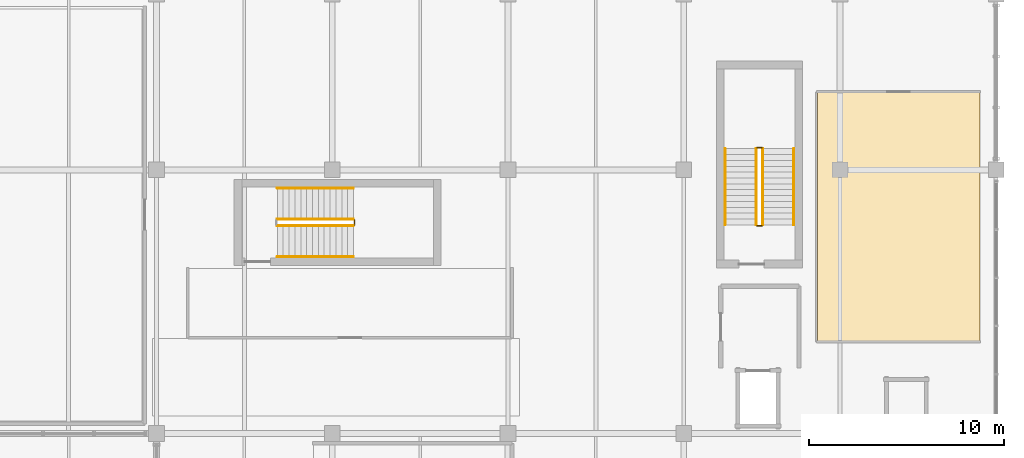
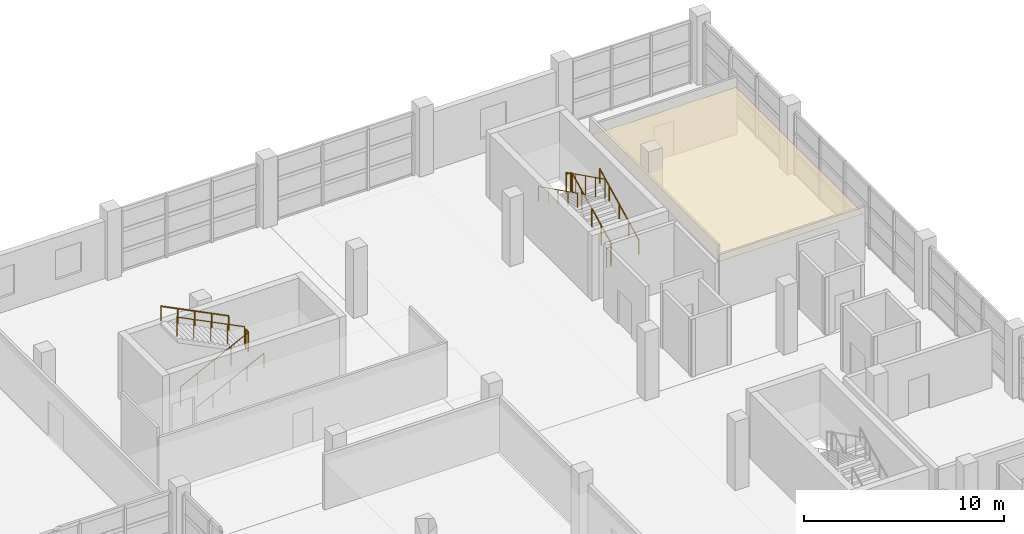
# One storey, part 135 of 136: 11 railings, 1 covering.
"""IFC4 building model written with IfcOpenShell, lengths in metres."""

from ifc_helpers import new_model, si_unit, direction, frame, origin, origin_2d, place, context, subcontext, project, spatial, polyline, circle, outline, extrude, material, layer, layer_set, type_object, element, save


model = new_model("IFC4")

# Units and contexts
model_context = context("Model", 3, precision=1e-05, world=origin(), true_north=direction((0.0, 1.0)))
body_context = subcontext(model_context, "Body", "Model", "MODEL_VIEW")
ifc_project = project(units=[si_unit("LENGTHUNIT", "METRE"), si_unit("AREAUNIT", "SQUARE_METRE"), si_unit("VOLUMEUNIT", "CUBIC_METRE"), si_unit("PLANEANGLEUNIT", "RADIAN"), si_unit("MASSUNIT", "GRAM", prefix="KILO")], contexts=[model_context])

# Site, building, storey
site_placement = place(None, origin())
site = spatial("IfcSite", under=ifc_project, at=site_placement, CompositionType="ELEMENT")
building_placement = place(site_placement, origin())
building = spatial("IfcBuilding", under=site, at=building_placement, Name="Chuanluo Vaults Station", CompositionType="ELEMENT")
storey_placement = place(building_placement, frame((0.0, 0.0, 6.60009765625)))
storey = spatial("IfcBuildingStorey", under=building, at=storey_placement, Name="L01", CompositionType="ELEMENT", Elevation=6.60009765625)

# Covering
ifc_material_1 = material(Name="Acoustic mineral-fibre tile")
ifc_layer = layer(ifc_material_1, 0.02490234375)
ifc_layer_set = layer_set([ifc_layer], Name="Acoustic mineral-fibre tile")
covering_type = type_object("IfcCoveringType", Name="COV-CEIL-TILE", PredefinedType="CEILING", material=ifc_layer_set)
covering_placement = place(storey_placement, frame((0.0, 0.0, 2.849853515625)))
element("IfcCovering", 1, at=covering_placement, inside=storey, type_object=covering_type, Name="L01-23 suspended acoustic ceiling", PredefinedType="CEILING", context=body_context, shape_type="SweptSolid", body=[
    extrude(outline(polyline([(178.840087890625, 108.239990234375), (187.159912109375, 108.239990234375), (187.159912109375, 120.9599609375), (178.840087890625, 120.9599609375), (178.840087890625, 108.239990234375)])), origin(), (0.0, 0.0, 1.0), 0.025146484375),
])

# Railings
ifc_material_2 = material(Name="Tempered laminated balustrade glass", Category="glass")
railing_type_1 = type_object("IfcRailingType", Name="RLG-GUARD-1200", PredefinedType="BALUSTRADE", material=ifc_material_2)
railing_1_placement = place(storey_placement, frame((176.052490234375, 114.1875, 0.14990234375)))
element("IfcRailing", 2, at=railing_1_placement, inside=storey, type_object=railing_type_1, Name="L01 ST-02 stair guard 1", PredefinedType="BALUSTRADE", context=body_context, shape_type="SweptSolid", body=[
    extrude(circle(Radius=0.02392578125, at=origin_2d()), frame((0.0, 0.0, 1.17578125), z_axis=(0.0, 0.894427191, 0.4472135955), x_axis=(-1.0, 0.0, 0.0)), (0.0, 0.0, 1.0), 4.360107421875),
    extrude(circle(Radius=0.02099609375, at=origin_2d()), origin(), (0.0, 0.0, 1.0), 1.15185546875),
    extrude(circle(Radius=0.02099609375, at=origin_2d()), frame((0.0, 0.97509765625, 0.487548828125)), (0.0, 0.0, 1.0), 1.15185546875),
    extrude(circle(Radius=0.02099609375, at=origin_2d()), frame((0.0, 1.949951171875, 0.97509765625)), (0.0, 0.0, 1.0), 1.15185546875),
    extrude(circle(Radius=0.02099609375, at=origin_2d()), frame((0.0, 2.9248046875, 1.46240234375)), (0.0, 0.0, 1.0), 1.15185546875),
    extrude(circle(Radius=0.02099609375, at=origin_2d()), frame((0.0, 3.89990234375, 1.949951171875)), (0.0, 0.0, 1.0), 1.15185546875),
])
railing_2_placement = place(storey_placement, frame((176.00244140625, 118.137451171875, 2.099853515625)))
element("IfcRailing", 3, at=railing_2_placement, inside=storey, type_object=railing_type_1, Name="L01 ST-02 stair guard 2", PredefinedType="BALUSTRADE", context=body_context, shape_type="SweptSolid", body=[
    extrude(circle(Radius=0.02392578125, at=origin_2d()), frame((0.0, 0.0, 1.17578125), z_axis=(-1.0, 0.0, 0.0), x_axis=(0.0, -1.0, 0.0)), (0.0, 0.0, 1.0), 0.25),
    extrude(circle(Radius=0.02099609375, at=origin_2d()), origin(), (0.0, 0.0, 1.0), 1.15185546875),
    extrude(circle(Radius=0.02099609375, at=origin_2d()), frame((-0.25, 0.0, 0.0)), (0.0, 0.0, 1.0), 1.15185546875),
])
railing_3_placement = place(storey_placement, frame((175.702392578125, 118.08740234375, 2.25)))
element("IfcRailing", 4, at=railing_3_placement, inside=storey, type_object=railing_type_1, Name="L01 ST-02 stair guard 3", PredefinedType="BALUSTRADE", context=body_context, shape_type="SweptSolid", body=[
    extrude(circle(Radius=0.02392578125, at=origin_2d()), frame((0.0, 0.0, 1.17578125), z_axis=(0.0, -0.894427191, 0.4472135955), x_axis=(1.0, 0.0, 0.0)), (0.0, 0.0, 1.0), 4.360107421875),
    extrude(circle(Radius=0.02099609375, at=origin_2d()), origin(), (0.0, 0.0, 1.0), 1.15185546875),
    extrude(circle(Radius=0.02099609375, at=origin_2d()), frame((0.0, -0.97509765625, 0.487548828125)), (0.0, 0.0, 1.0), 1.15185546875),
    extrude(circle(Radius=0.02099609375, at=origin_2d()), frame((0.0, -1.949951171875, 0.97509765625)), (0.0, 0.0, 1.0), 1.15185546875),
    extrude(circle(Radius=0.02099609375, at=origin_2d()), frame((0.0, -2.9248046875, 1.46240234375)), (0.0, 0.0, 1.0), 1.15185546875),
    extrude(circle(Radius=0.02099609375, at=origin_2d()), frame((0.0, -3.89990234375, 1.949951171875)), (0.0, 0.0, 1.0), 1.15185546875),
])
railing_4_placement = place(storey_placement, frame((176.00244140625, 114.137451171875, 0.0)))
element("IfcRailing", 5, at=railing_4_placement, inside=storey, type_object=railing_type_1, Name="L01 ST-02 stair guard 4", PredefinedType="BALUSTRADE", context=body_context, shape_type="SweptSolid", body=[
    extrude(circle(Radius=0.02392578125, at=origin_2d()), frame((0.0, 0.0, 1.17578125), z_axis=(-1.0, 0.0, 0.0), x_axis=(0.0, -1.0, 0.0)), (0.0, 0.0, 1.0), 0.25),
    extrude(circle(Radius=0.02099609375, at=origin_2d()), origin(), (0.0, 0.0, 1.0), 1.15185546875),
    extrude(circle(Radius=0.02099609375, at=origin_2d()), frame((-0.25, 0.0, 0.0)), (0.0, 0.0, 1.0), 1.15185546875),
])
railing_5_placement = place(storey_placement, frame((151.1875, 114.135009765625, 0.14990234375)))
element("IfcRailing", 6, at=railing_5_placement, inside=storey, type_object=railing_type_1, Name="L01 ST-03 stair guard 1", PredefinedType="BALUSTRADE", context=body_context, shape_type="SweptSolid", body=[
    extrude(circle(Radius=0.02392578125, at=origin_2d()), frame((0.0, 0.0, 1.17578125), z_axis=(0.894427191, 0.0, 0.4472135955), x_axis=(0.0, 1.0, 0.0)), (0.0, 0.0, 1.0), 4.360107421875),
    extrude(circle(Radius=0.02099609375, at=origin_2d()), origin(), (0.0, 0.0, 1.0), 1.15185546875),
    extrude(circle(Radius=0.02099609375, at=origin_2d()), frame((0.97509765625, 0.0, 0.487548828125)), (0.0, 0.0, 1.0), 1.15185546875),
    extrude(circle(Radius=0.02099609375, at=origin_2d()), frame((1.949951171875, 0.0, 0.97509765625)), (0.0, 0.0, 1.0), 1.15185546875),
    extrude(circle(Radius=0.02099609375, at=origin_2d()), frame((2.9248046875, 0.0, 1.46240234375)), (0.0, 0.0, 1.0), 1.15185546875),
    extrude(circle(Radius=0.02099609375, at=origin_2d()), frame((3.89990234375, 0.0, 1.949951171875)), (0.0, 0.0, 1.0), 1.15185546875),
])
railing_6_placement = place(storey_placement, frame((155.137451171875, 114.18505859375, 2.099853515625)))
element("IfcRailing", 7, at=railing_6_placement, inside=storey, type_object=railing_type_1, Name="L01 ST-03 stair guard 2", PredefinedType="BALUSTRADE", context=body_context, shape_type="SweptSolid", body=[
    extrude(circle(Radius=0.02392578125, at=origin_2d()), frame((0.0, 0.0, 1.17578125), z_axis=(0.0, 1.0, 0.0), x_axis=(-1.0, 0.0, 0.0)), (0.0, 0.0, 1.0), 0.25),
    extrude(circle(Radius=0.02099609375, at=origin_2d()), origin(), (0.0, 0.0, 1.0), 1.15185546875),
    extrude(circle(Radius=0.02099609375, at=origin_2d()), frame((0.0, 0.25, 0.0)), (0.0, 0.0, 1.0), 1.15185546875),
])
railing_7_placement = place(storey_placement, frame((155.08740234375, 114.485107421875, 2.25)))
element("IfcRailing", 8, at=railing_7_placement, inside=storey, type_object=railing_type_1, Name="L01 ST-03 stair guard 3", PredefinedType="BALUSTRADE", context=body_context, shape_type="SweptSolid", body=[
    extrude(circle(Radius=0.02392578125, at=origin_2d()), frame((0.0, 0.0, 1.17578125), z_axis=(-0.894427191, 0.0, 0.4472135955), x_axis=(0.0, -1.0, 0.0)), (0.0, 0.0, 1.0), 4.360107421875),
    extrude(circle(Radius=0.02099609375, at=origin_2d()), origin(), (0.0, 0.0, 1.0), 1.15185546875),
    extrude(circle(Radius=0.02099609375, at=origin_2d()), frame((-0.97509765625, 0.0, 0.487548828125)), (0.0, 0.0, 1.0), 1.15185546875),
    extrude(circle(Radius=0.02099609375, at=origin_2d()), frame((-1.949951171875, 0.0, 0.97509765625)), (0.0, 0.0, 1.0), 1.15185546875),
    extrude(circle(Radius=0.02099609375, at=origin_2d()), frame((-2.9248046875, 0.0, 1.46240234375)), (0.0, 0.0, 1.0), 1.15185546875),
    extrude(circle(Radius=0.02099609375, at=origin_2d()), frame((-3.89990234375, 0.0, 1.949951171875)), (0.0, 0.0, 1.0), 1.15185546875),
])
ifc_material_3 = material(Name="Brushed stainless steel 304", Category="steel")
railing_type_2 = type_object("IfcRailingType", Name="RLG-HAND-900", PredefinedType="HANDRAIL", material=ifc_material_3)
railing_8_placement = place(storey_placement, frame((177.637451171875, 114.1875, 0.14990234375)))
element("IfcRailing", 9, at=railing_8_placement, inside=storey, type_object=railing_type_2, Name="L01 ST-02 stair handrail 1", PredefinedType="HANDRAIL", context=body_context, shape_type="SweptSolid", body=[
    extrude(circle(Radius=0.02392578125, at=origin_2d()), frame((0.0, 0.0, 0.8759765625), z_axis=(0.0, 0.894427191, 0.4472135955), x_axis=(-1.0, 0.0, 0.0)), (0.0, 0.0, 1.0), 4.360107421875),
    extrude(circle(Radius=0.02099609375, at=origin_2d()), origin(), (0.0, 0.0, 1.0), 0.851806640625),
    extrude(circle(Radius=0.02099609375, at=origin_2d()), frame((0.0, 0.97509765625, 0.487548828125)), (0.0, 0.0, 1.0), 0.851806640625),
    extrude(circle(Radius=0.02099609375, at=origin_2d()), frame((0.0, 1.949951171875, 0.97509765625)), (0.0, 0.0, 1.0), 0.851806640625),
    extrude(circle(Radius=0.02099609375, at=origin_2d()), frame((0.0, 2.9248046875, 1.46240234375)), (0.0, 0.0, 1.0), 0.851806640625),
    extrude(circle(Radius=0.02099609375, at=origin_2d()), frame((0.0, 3.89990234375, 1.949951171875)), (0.0, 0.0, 1.0), 0.851806640625),
])
railing_9_placement = place(storey_placement, frame((174.117431640625, 118.08740234375, 2.25)))
element("IfcRailing", 10, at=railing_9_placement, inside=storey, type_object=railing_type_2, Name="L01 ST-02 stair handrail 2", PredefinedType="HANDRAIL", context=body_context, shape_type="SweptSolid", body=[
    extrude(circle(Radius=0.02392578125, at=origin_2d()), frame((0.0, 0.0, 0.8759765625), z_axis=(0.0, -0.894427191, 0.4472135955), x_axis=(1.0, 0.0, 0.0)), (0.0, 0.0, 1.0), 4.360107421875),
    extrude(circle(Radius=0.02099609375, at=origin_2d()), origin(), (0.0, 0.0, 1.0), 0.851806640625),
    extrude(circle(Radius=0.02099609375, at=origin_2d()), frame((0.0, -0.97509765625, 0.487548828125)), (0.0, 0.0, 1.0), 0.851806640625),
    extrude(circle(Radius=0.02099609375, at=origin_2d()), frame((0.0, -1.949951171875, 0.97509765625)), (0.0, 0.0, 1.0), 0.851806640625),
    extrude(circle(Radius=0.02099609375, at=origin_2d()), frame((0.0, -2.9248046875, 1.46240234375)), (0.0, 0.0, 1.0), 0.851806640625),
    extrude(circle(Radius=0.02099609375, at=origin_2d()), frame((0.0, -3.89990234375, 1.949951171875)), (0.0, 0.0, 1.0), 0.851806640625),
])
railing_10_placement = place(storey_placement, frame((151.1875, 112.550048828125, 0.14990234375)))
element("IfcRailing", 11, at=railing_10_placement, inside=storey, type_object=railing_type_2, Name="L01 ST-03 stair handrail 1", PredefinedType="HANDRAIL", context=body_context, shape_type="SweptSolid", body=[
    extrude(circle(Radius=0.02392578125, at=origin_2d()), frame((0.0, 0.0, 0.8759765625), z_axis=(0.894427191, 0.0, 0.4472135955), x_axis=(0.0, 1.0, 0.0)), (0.0, 0.0, 1.0), 4.360107421875),
    extrude(circle(Radius=0.02099609375, at=origin_2d()), origin(), (0.0, 0.0, 1.0), 0.851806640625),
    extrude(circle(Radius=0.02099609375, at=origin_2d()), frame((0.97509765625, 0.0, 0.487548828125)), (0.0, 0.0, 1.0), 0.851806640625),
    extrude(circle(Radius=0.02099609375, at=origin_2d()), frame((1.949951171875, 0.0, 0.97509765625)), (0.0, 0.0, 1.0), 0.851806640625),
    extrude(circle(Radius=0.02099609375, at=origin_2d()), frame((2.9248046875, 0.0, 1.46240234375)), (0.0, 0.0, 1.0), 0.851806640625),
    extrude(circle(Radius=0.02099609375, at=origin_2d()), frame((3.89990234375, 0.0, 1.949951171875)), (0.0, 0.0, 1.0), 0.851806640625),
])
railing_11_placement = place(storey_placement, frame((155.08740234375, 116.070068359375, 2.25)))
element("IfcRailing", 12, at=railing_11_placement, inside=storey, type_object=railing_type_2, Name="L01 ST-03 stair handrail 2", PredefinedType="HANDRAIL", context=body_context, shape_type="SweptSolid", body=[
    extrude(circle(Radius=0.02392578125, at=origin_2d()), frame((0.0, 0.0, 0.8759765625), z_axis=(-0.894427191, 0.0, 0.4472135955), x_axis=(0.0, -1.0, 0.0)), (0.0, 0.0, 1.0), 4.360107421875),
    extrude(circle(Radius=0.02099609375, at=origin_2d()), origin(), (0.0, 0.0, 1.0), 0.851806640625),
    extrude(circle(Radius=0.02099609375, at=origin_2d()), frame((-0.97509765625, 0.0, 0.487548828125)), (0.0, 0.0, 1.0), 0.851806640625),
    extrude(circle(Radius=0.02099609375, at=origin_2d()), frame((-1.949951171875, 0.0, 0.97509765625)), (0.0, 0.0, 1.0), 0.851806640625),
    extrude(circle(Radius=0.02099609375, at=origin_2d()), frame((-2.9248046875, 0.0, 1.46240234375)), (0.0, 0.0, 1.0), 0.851806640625),
    extrude(circle(Radius=0.02099609375, at=origin_2d()), frame((-3.89990234375, 0.0, 1.949951171875)), (0.0, 0.0, 1.0), 0.851806640625),
])

save(model, "model.ifc")
